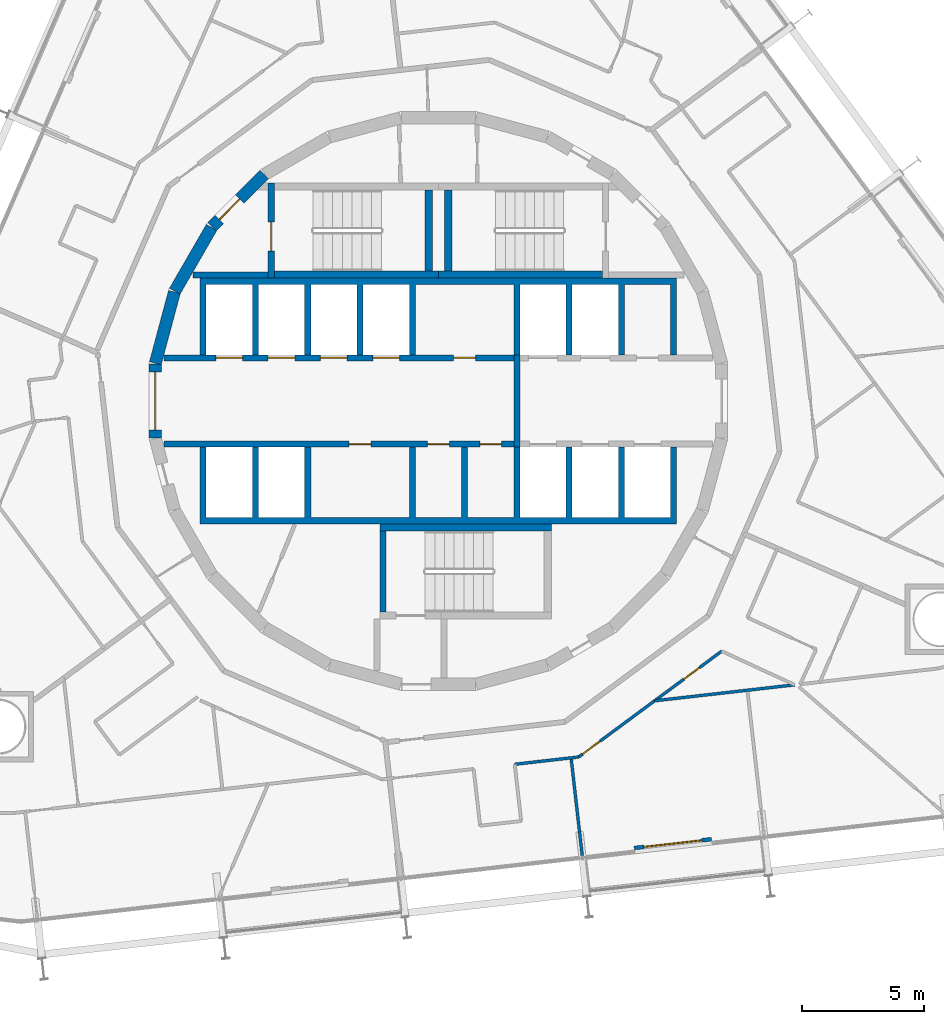
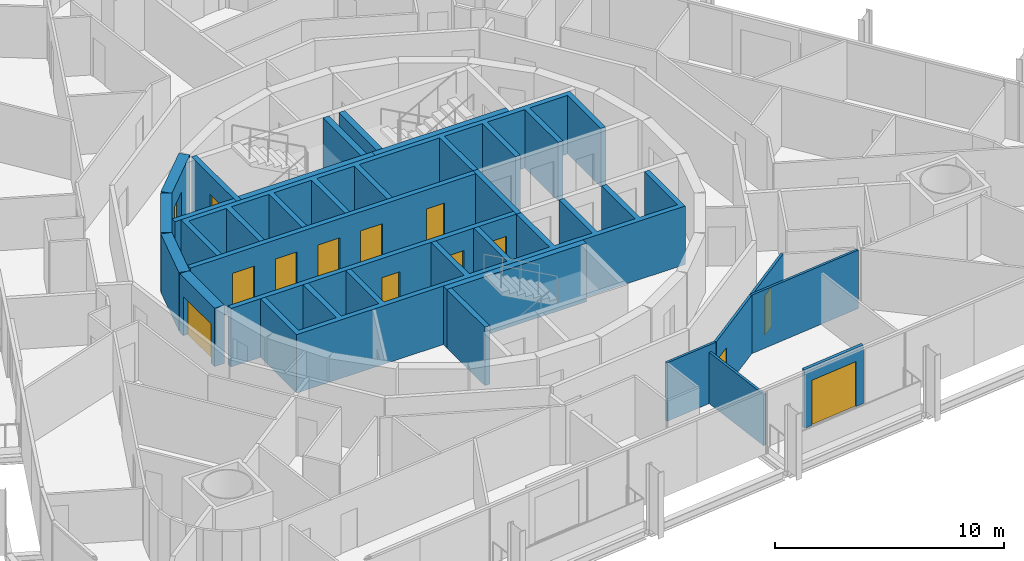
# One storey, part 18 of 23: 22 walls, 14 doors, 14 openings.
"""IFC4 building model written with IfcOpenShell, lengths in metres."""

import ifcopenshell
import ifcopenshell.guid

model = None  # the IFC model being written
_history = None  # IfcOwnerHistory: only IFC2X3 demands one
_inside = {}  # id of a spatial element -> (the spatial element, [elements in it])
_under = {}  # id of a project, library or spatial element -> (it, [spatial elements below it])
_declared = {}  # id of a project -> (the project, [libraries it declares])
_typed = {}  # id of a type object -> (the type object, [elements of that type])
_made_of = {}  # id of a material, layer set ... -> (it, [elements and type objects made of it])


def new_model(schema):
    """Start an empty IFC model of exactly this schema.

    Asked for "IFC4X3", IfcOpenShell would pick the latest addendum, in which some entities
    have other attributes; the version numbers below select the first issue.
    IFC2X3 requires an IfcOwnerHistory on every rooted entity: one is made here for all.
    """
    global model, _history
    if schema == "IFC4X3":
        model = ifcopenshell.file(schema_version=(4, 3, 0, 0))
    else:
        model = ifcopenshell.file(schema=schema)
    _inside.clear()
    _under.clear()
    _declared.clear()
    _typed.clear()
    _made_of.clear()
    _history = None
    if model.schema == "IFC2X3":
        org = make("IfcOrganization", Name="unknown")
        user = make(
            "IfcPersonAndOrganization",
            ThePerson=make("IfcPerson", FamilyName="unknown"),
            TheOrganization=org,
        )
        app = make(
            "IfcApplication",
            ApplicationDeveloper=org,
            Version="unknown",
            ApplicationFullName="unknown",
            ApplicationIdentifier="unknown",
        )
        _history = make(
            "IfcOwnerHistory",
            OwningUser=user,
            OwningApplication=app,
            ChangeAction="ADDED",
            CreationDate=0,
        )
    return model


def make(cls, **values):
    """One entity of the class cls with the attributes given. An attribute that is None is left unset."""
    return model.create_entity(
        cls, **{name: value for name, value in values.items() if value is not None}
    )


def rooted(cls, **values):
    """An entity with a GlobalId (a new one), such as an element, a storey or a relation."""
    return make(cls, GlobalId=ifcopenshell.guid.new(), OwnerHistory=_history, **values)


def si_unit(unit_type, name, prefix=None):
    """IfcSIUnit, for example si_unit("LENGTHUNIT", "METRE", prefix="MILLI")."""
    return make("IfcSIUnit", UnitType=unit_type, Prefix=prefix, Name=name)


def assignment(units):
    """IfcUnitAssignment: the units of a project."""
    return None if units is None else make("IfcUnitAssignment", Units=units)


def point(xyz):
    """IfcCartesianPoint."""
    return None if xyz is None else make("IfcCartesianPoint", Coordinates=xyz)


def direction(xyz):
    """IfcDirection."""
    return None if xyz is None else make("IfcDirection", DirectionRatios=xyz)


def frame(location, z_axis=None, x_axis=None):
    """IfcAxis2Placement3D, a coordinate frame: its origin and axes. An axis left out is left unset."""
    return make(
        "IfcAxis2Placement3D",
        Location=point(location),
        Axis=direction(z_axis),
        RefDirection=direction(x_axis),
    )


def frame_2d(location, x_axis=None):
    """IfcAxis2Placement2D, a coordinate frame in the plane: its origin and x axis."""
    return make(
        "IfcAxis2Placement2D", Location=point(location), RefDirection=direction(x_axis)
    )


def origin():
    """The frame at (0, 0, 0) with its axes left unset."""
    return frame((0.0, 0.0, 0.0))


def place(relative_to, where):
    """IfcLocalPlacement: puts the frame where relative to a parent placement (None: the world)."""
    return make(
        "IfcLocalPlacement", PlacementRelTo=relative_to, RelativePlacement=where
    )


def context(
    kind, dimensions, precision=None, world=None, true_north=None, identifier=None
):
    """IfcGeometricRepresentationContext, for example the 3D "Model" context."""
    return make(
        "IfcGeometricRepresentationContext",
        ContextIdentifier=identifier,
        ContextType=kind,
        CoordinateSpaceDimension=dimensions,
        Precision=precision,
        WorldCoordinateSystem=world,
        TrueNorth=true_north,
    )


def subcontext(parent, identifier, kind, view, scale=None):
    """IfcGeometricRepresentationSubContext, for example "Body" below "Model"."""
    return make(
        "IfcGeometricRepresentationSubContext",
        ContextIdentifier=identifier,
        ContextType=kind,
        ParentContext=parent,
        TargetScale=scale,
        TargetView=view,
    )


def project(units=None, contexts=None):
    """IfcProject with its units and contexts."""
    return rooted(
        "IfcProject",
        Name="project",
        RepresentationContexts=contexts,
        UnitsInContext=assignment(units),
    )


def spatial(cls, under=None, at=None, **own):
    """A site, building, storey or space (cls), placed at a placement, below another one or the project."""
    s = rooted(cls, ObjectPlacement=at, **own)
    if under is not None:
        _under.setdefault(under.id(), (under, []))[1].append(s)
    return s


def polyline(points):
    """IfcPolyline through the points."""
    return make("IfcPolyline", Points=[point(p) for p in points])


def profile(cls, at=None, kind="AREA", **sizes):
    """A parametric profile (cls). Its sizes go by their IFC names, for example OverallWidth=200.0."""
    return make(cls, ProfileType=kind, Position=at, **sizes)


def rectangle(**sizes):
    """IfcRectangleProfileDef."""
    return profile("IfcRectangleProfileDef", **sizes)


def outline(outer, holes=None, kind="AREA"):
    """IfcArbitraryClosedProfileDef: a profile drawn as a closed curve; with holes, ...WithVoids."""
    if holes is None:
        return make("IfcArbitraryClosedProfileDef", ProfileType=kind, OuterCurve=outer)
    return make(
        "IfcArbitraryProfileDefWithVoids",
        ProfileType=kind,
        OuterCurve=outer,
        InnerCurves=holes,
    )


def extrude(swept, where, along, depth):
    """IfcExtrudedAreaSolid: the profile swept, set in the frame where, extruded along a direction by depth."""
    return make(
        "IfcExtrudedAreaSolid",
        SweptArea=swept,
        Position=where,
        ExtrudedDirection=direction(along),
        Depth=depth,
    )


def shape(context_of_items, identifier, shape_type, items):
    """IfcShapeRepresentation: the items that make up one representation, for example the "Body"."""
    return make(
        "IfcShapeRepresentation",
        ContextOfItems=context_of_items,
        RepresentationIdentifier=identifier,
        RepresentationType=shape_type,
        Items=items,
    )


def material(Name=None, Category=None):
    """IfcMaterial."""
    return make("IfcMaterial", Name=Name, Category=Category)


def layer(
    of_material, thickness, ventilated=None, Name=None, Category=None, Priority=None
):
    """IfcMaterialLayer: one layer of a wall or slab, of a material (None: an air gap)."""
    return make(
        "IfcMaterialLayer",
        Material=of_material,
        LayerThickness=thickness,
        IsVentilated=ventilated,
        Name=Name,
        Category=Category,
        Priority=Priority,
    )


def layer_set(layers, Name=None):
    """IfcMaterialLayerSet."""
    return make("IfcMaterialLayerSet", MaterialLayers=layers, LayerSetName=Name)


def made_of(thing, what):
    """Note that an element or type object is made of a material, layer set ...; save() writes the relation."""
    if what is not None:
        _made_of.setdefault(what.id(), (what, []))[1].append(thing)
    return thing


def type_object(cls, material=None, **own):
    """A type object (cls), such as IfcWallType, which elements share."""
    return made_of(rooted(cls, **own), material)


def element(
    cls,
    number,
    at=None,
    inside=None,
    cuts=None,
    type_object=None,
    material=None,
    context=None,
    identifier="Body",
    shape_type=None,
    held_by="IfcProductDefinitionShape",
    body=None,
    shapes=None,
    **own,
):
    """One element of the class cls, such as IfcWall. Its Tag is "e" and its number.

    at: its placement. inside: the storey or other place that contains it. cuts: it is an
    opening in that element (IfcRelVoidsElement). A single representation is given by context,
    identifier, shape_type and body (its items); several are given by shapes. held_by: the class
    of the entity that holds the representations. save() writes the other relations.
    """
    e = rooted(cls, Tag="e%d" % number, ObjectPlacement=at, **own)
    if body is not None:
        shapes = [shape(context, identifier, shape_type, body)]
    if shapes is not None:
        e.Representation = make(held_by, Representations=shapes)
    if inside is not None:
        _inside.setdefault(inside.id(), (inside, []))[1].append(e)
    if cuts is not None:
        rooted(
            "IfcRelVoidsElement", RelatingBuildingElement=cuts, RelatedOpeningElement=e
        )
    if type_object is not None:
        _typed.setdefault(type_object.id(), (type_object, []))[1].append(e)
    return made_of(e, material)


def fill(opening, filler):
    """IfcRelFillsElement: the door or window that sits in an opening."""
    return rooted(
        "IfcRelFillsElement",
        RelatingOpeningElement=opening,
        RelatedBuildingElement=filler,
    )


def aggregate(whole, parts):
    """IfcRelAggregates: a whole, such as a stair, and the parts it consists of."""
    return rooted("IfcRelAggregates", RelatingObject=whole, RelatedObjects=parts)


def save(model, path):
    """Write the relations noted so far, then the file.

    IfcRelAggregates (storeys below a building ...), IfcRelContainedInSpatialStructure (elements
    in a storey), IfcRelDefinesByType, IfcRelAssociatesMaterial and IfcRelDeclares: one each for
    every whole, place, type object, material and project.
    """
    for whole, parts in _under.values():
        aggregate(whole, parts)
    for where, things in _inside.values():
        rooted(
            "IfcRelContainedInSpatialStructure",
            RelatedElements=things,
            RelatingStructure=where,
        )
    for kind, things in _typed.values():
        rooted("IfcRelDefinesByType", RelatedObjects=things, RelatingType=kind)
    for what, things in _made_of.values():
        rooted("IfcRelAssociatesMaterial", RelatedObjects=things, RelatingMaterial=what)
    for by, libraries in _declared.values():
        rooted("IfcRelDeclares", RelatingContext=by, RelatedDefinitions=libraries)
    model.write(path)


model = new_model("IFC4")

# Units and contexts
model_context = context("Model", 3, precision=1e-05, world=origin(), true_north=direction((0.0, 1.0)))
body_context = subcontext(model_context, "Body", "Model", "MODEL_VIEW")
ifc_project = project(units=[si_unit("LENGTHUNIT", "METRE"), si_unit("AREAUNIT", "SQUARE_METRE"), si_unit("VOLUMEUNIT", "CUBIC_METRE"), si_unit("PLANEANGLEUNIT", "RADIAN"), si_unit("MASSUNIT", "GRAM", prefix="KILO")], contexts=[model_context])

# Site, building, storey
site_placement = place(None, origin())
site = spatial("IfcSite", under=ifc_project, at=site_placement, CompositionType="ELEMENT")
building_placement = place(site_placement, origin())
building = spatial("IfcBuilding", under=site, at=building_placement, Name="Spindle Arch Residences", CompositionType="ELEMENT")
storey_placement = place(building_placement, frame((0.0, 0.0, 83.699951171875)))
storey = spatial("IfcBuildingStorey", under=building, at=storey_placement, Name="L19", CompositionType="ELEMENT", Elevation=83.699951171875)

# Wall, opening, door
ifc_material_1 = material(Name="Concrete C50/60", Category="concrete")
ifc_layer_1 = layer(ifc_material_1, 0.5)
ifc_layer_set_1 = layer_set([ifc_layer_1], Name="Core outline wall 500")
wall_type_1 = type_object("IfcWallType", Name="Core outline wall 500", PredefinedType="SHEAR", material=ifc_layer_set_1)
wall_1_placement = place(storey_placement, frame((-7.163818359375, 9.30810546875, 0.0), z_axis=(0.0, 0.0, 1.0), x_axis=(-0.707106781187, -0.707106781187, 0.0)))
wall_1 = element("IfcWall", 1, at=wall_1_placement, inside=storey, type_object=wall_type_1, Name="Core outline wall 15", PredefinedType="SHEAR", context=body_context, shape_type="SweptSolid", body=[
    extrude(rectangle(XDim=3.032470703125, YDim=0.5, at=frame_2d((1.51611328125, 0.0))), origin(), (0.0, 0.0, 1.0), 3.1201171875),
])
opening_1_placement = place(wall_1_placement, frame((1.416259765625, 0.0, 0.0)))
opening_1 = element("IfcOpeningElement", 2, at=opening_1_placement, cuts=wall_1, Name="Opening R2A0-AD02", PredefinedType="OPENING", context=body_context, shape_type="SweptSolid", body=[
    extrude(rectangle(XDim=1.199951171875, YDim=2.10009765625, at=frame_2d((0.60009765625, 1.050048828125))), frame((0.0, 0.260009765625, 0.0), z_axis=(0.0, -1.0, 0.0), x_axis=(1.0, 0.0, 0.0)), (0.0, 0.0, 1.0), 0.52001953125),
])
ifc_material_2 = material(Name="Steel, fire-resisting door", Category="steel")
door_type_1 = type_object("IfcDoorType", Name="Stair airlock door 1200x2100", OperationType="SINGLE_SWING_LEFT", PredefinedType="DOOR", material=ifc_material_2)
door_1_placement = place(opening_1_placement, origin())
door_1 = element("IfcDoor", 3, at=door_1_placement, inside=storey, type_object=door_type_1, Name="Stair airlock door R2A0-AD02", OperationType="SINGLE_SWING_RIGHT", OverallHeight=2.10009765625, OverallWidth=1.199951171875, PredefinedType="DOOR", context=body_context, shape_type="SweptSolid", body=[
    extrude(rectangle(XDim=1.199951171875, YDim=2.10009765625, at=frame_2d((0.60009765625, 1.050048828125))), frame((0.0, 0.02490234375, 0.0), z_axis=(0.0, -1.0, 0.0), x_axis=(1.0, 0.0, 0.0)), (0.0, 0.0, 1.0), 0.050048828125),
])
fill(opening_1, door_1)

# Walls
for number, where, z_axis, x_axis, name in (
    (4, (-9.32861328125, 7.13671875, 0.0), (0.0, 0.0, 1.0), (-0.500087131594, -0.865975092491, 0.0), "Core outline wall 16"),
    (5, (-10.858154296875, 4.479248046875, 0.0), (0.0, 0.0, 1.0), (-0.258734743916, -0.965948410781, 0.0), "Core outline wall 17"),
):
    element("IfcWall", number, at=place(storey_placement, frame(where, z_axis=z_axis, x_axis=x_axis)), inside=storey, type_object=wall_type_1, Name=name, PredefinedType="SHEAR", context=body_context, shape_type="SweptSolid", body=[
        extrude(rectangle(XDim=3.03271484375, YDim=0.5, at=frame_2d((1.516357421875, 0.0))), origin(), (0.0, 0.0, 1.0), 3.1201171875),
    ])

# Wall, opening, door
wall_2_placement = place(storey_placement, frame((-11.647216796875, 1.516357421875, 0.0), z_axis=(0.0, 0.0, 1.0), x_axis=(0.0, -1.0, 0.0)))
wall_2 = element("IfcWall", 6, at=wall_2_placement, inside=storey, type_object=wall_type_1, Name="Core outline wall 18", PredefinedType="SHEAR", context=body_context, shape_type="SweptSolid", body=[
    extrude(rectangle(XDim=3.03271484375, YDim=0.5, at=frame_2d((1.516357421875, 0.0))), origin(), (0.0, 0.0, 1.0), 3.1201171875),
])
opening_2_placement = place(wall_2_placement, frame((0.31640625, 0.0, 0.0)))
opening_2 = element("IfcOpeningElement", 7, at=opening_2_placement, cuts=wall_2, Name="Opening R2A0-LE01", PredefinedType="OPENING", context=body_context, shape_type="SweptSolid", body=[
    extrude(rectangle(XDim=2.39990234375, YDim=2.10009765625, at=frame_2d((1.199951171875, 1.050048828125))), frame((0.0, 0.260009765625, 0.0), z_axis=(0.0, -1.0, 0.0), x_axis=(1.0, 0.0, 0.0)), (0.0, 0.0, 1.0), 0.52001953125),
])
ifc_material_3 = material(Name="Steel, fire-resisting door", Category="steel")
door_type_2 = type_object("IfcDoorType", Name="Lift lobby entrance door 2400x2100", OperationType="DOUBLE_DOOR_SINGLE_SWING", PredefinedType="DOOR", material=ifc_material_3)
door_2_placement = place(opening_2_placement, origin())
door_2 = element("IfcDoor", 8, at=door_2_placement, inside=storey, type_object=door_type_2, Name="Lift lobby entrance door R2A0-LE01", OperationType="DOUBLE_DOOR_SINGLE_SWING", OverallHeight=2.10009765625, OverallWidth=2.39990234375, PredefinedType="DOOR", context=body_context, shape_type="SweptSolid", body=[
    extrude(rectangle(XDim=2.39990234375, YDim=2.10009765625, at=frame_2d((1.199951171875, 1.050048828125))), frame((0.0, 0.02490234375, 0.0), z_axis=(0.0, -1.0, 0.0), x_axis=(1.0, 0.0, 0.0)), (0.0, 0.0, 1.0), 0.050048828125),
])
fill(opening_2, door_2)

# Walls
ifc_material_4 = material(Name="Concrete C40/50", Category="concrete")
ifc_layer_2 = layer(ifc_material_4, 0.25)
ifc_layer_set_2 = layer_set([ifc_layer_2], Name="Fire-lift lobby wall 250")
wall_type_2 = type_object("IfcWallType", Name="Fire-lift lobby wall 250", PredefinedType="SHEAR", material=ifc_layer_set_2)
wall_3_placement = place(storey_placement, frame((3.22509765625, -1.89990234375, 0.0), z_axis=(0.0, 0.0, 1.0), x_axis=(0.0, 1.0, 0.0)))
element("IfcWall", 9, at=wall_3_placement, inside=storey, type_object=wall_type_2, Name="Fire-fighting lobby partition", PredefinedType="SHEAR", context=body_context, shape_type="SweptSolid", body=[
    extrude(rectangle(XDim=3.7998046875, YDim=0.25, at=frame_2d((1.89990234375, 0.0))), origin(), (0.0, 0.0, 1.0), 3.1201171875),
])
ifc_material_5 = material(Name="Plasterboard on steel studs", Category="steel")
ifc_layer_3 = layer(ifc_material_5, 0.1201171875)
ifc_layer_set_3 = layer_set([ifc_layer_3], Name="Flat partition 120")
wall_type_3 = type_object("IfcWallType", Name="Flat partition 120", PredefinedType="PARTITIONING", material=ifc_layer_set_3)
wall_4_placement = place(storey_placement, frame((3.1376953125, -14.94091796875, 0.0), z_axis=(0.0, 0.0, 1.0), x_axis=(0.99356355736, 0.113276023437, 0.0)))
element("IfcWall", 10, at=wall_4_placement, inside=storey, type_object=wall_type_3, Name="Flat partition R2A0-W117", PredefinedType="PARTITIONING", context=body_context, shape_type="SweptSolid", body=[
    extrude(rectangle(XDim=2.646728515625, YDim=0.1201171875, at=frame_2d((1.3232421875, 0.0))), origin(), (0.0, 0.0, 1.0), 3.1201171875),
])

# Wall, openings, doors
wall_5_placement = place(storey_placement, frame((5.767333984375, -14.64111328125, 0.0), z_axis=(0.0, 0.0, 1.0), x_axis=(0.803867427863, 0.594808505673, 0.0)))
wall_5 = element("IfcWall", 11, at=wall_5_placement, inside=storey, type_object=wall_type_3, Name="Flat partition R2A0-W118", PredefinedType="PARTITIONING", context=body_context, shape_type="SweptSolid", body=[
    extrude(rectangle(XDim=7.31640625, YDim=0.1201171875, at=frame_2d((3.658203125, 0.0))), origin(), (0.0, 0.0, 1.0), 3.1201171875),
])
opening_3_placement = place(wall_5_placement, frame((0.199951171875, 0.0, 0.0)))
opening_3 = element("IfcOpeningElement", 12, at=opening_3_placement, cuts=wall_5, Name="Opening R2A0-ID30", PredefinedType="OPENING", context=body_context, shape_type="SweptSolid", body=[
    extrude(rectangle(XDim=0.89990234375, YDim=2.10009765625, at=frame_2d((0.449951171875, 1.050048828125))), frame((0.0, 0.070068359375, 0.0), z_axis=(0.0, -1.0, 0.0), x_axis=(1.0, 0.0, 0.0)), (0.0, 0.0, 1.0), 0.14013671875),
])
opening_4_placement = place(wall_5_placement, frame((5.385009765625, 0.0, 0.0)))
opening_4 = element("IfcOpeningElement", 13, at=opening_4_placement, cuts=wall_5, Name="Opening R2A0-BD07", PredefinedType="OPENING", context=body_context, shape_type="SweptSolid", body=[
    extrude(rectangle(XDim=0.800048828125, YDim=2.10009765625, at=frame_2d((0.39990234375, 1.050048828125))), frame((0.0, 0.070068359375, 0.0), z_axis=(0.0, -1.0, 0.0), x_axis=(1.0, 0.0, 0.0)), (0.0, 0.0, 1.0), 0.14013671875),
])
ifc_material_6 = material(Name="Timber door set", Category="wood")
door_type_3 = type_object("IfcDoorType", Name="Bathroom door 800x2100", OperationType="NOTDEFINED", PredefinedType="DOOR", material=ifc_material_6)
door_3_placement = place(opening_4_placement, origin())
door_3 = element("IfcDoor", 14, at=door_3_placement, inside=storey, type_object=door_type_3, Name="Bathroom door R2A0-BD07", OperationType="SINGLE_SWING_RIGHT", OverallHeight=2.10009765625, OverallWidth=0.800048828125, PredefinedType="DOOR", context=body_context, shape_type="SweptSolid", body=[
    extrude(rectangle(XDim=0.800048828125, YDim=2.10009765625, at=frame_2d((0.39990234375, 1.050048828125))), frame((0.0, 0.02490234375, 0.0), z_axis=(0.0, -1.0, 0.0), x_axis=(1.0, 0.0, 0.0)), (0.0, 0.0, 1.0), 0.050048828125),
])
fill(opening_4, door_3)
ifc_material_7 = material(Name="Timber door set", Category="wood")
door_type_4 = type_object("IfcDoorType", Name="Room door 900x2100", OperationType="NOTDEFINED", PredefinedType="DOOR", material=ifc_material_7)
door_4_placement = place(opening_3_placement, origin())
door_4 = element("IfcDoor", 15, at=door_4_placement, inside=storey, type_object=door_type_4, Name="Room door R2A0-ID30", OperationType="SINGLE_SWING_RIGHT", OverallHeight=2.10009765625, OverallWidth=0.89990234375, PredefinedType="DOOR", context=body_context, shape_type="SweptSolid", body=[
    extrude(rectangle(XDim=0.89990234375, YDim=2.10009765625, at=frame_2d((0.449951171875, 1.050048828125))), frame((0.0, 0.02490234375, 0.0), z_axis=(0.0, -1.0, 0.0), x_axis=(1.0, 0.0, 0.0)), (0.0, 0.0, 1.0), 0.050048828125),
])
fill(opening_3, door_4)

# Walls
wall_6_placement = place(storey_placement, frame((14.64892578125, -11.67431640625, 0.0), z_axis=(0.0, 0.0, 1.0), x_axis=(-0.993573746873, -0.113186613721, 0.0)))
element("IfcWall", 16, at=wall_6_placement, inside=storey, type_object=wall_type_3, Name="Flat partition R2A0-W124", PredefinedType="PARTITIONING", context=body_context, shape_type="SweptSolid", body=[
    extrude(rectangle(XDim=5.7958984375, YDim=0.1201171875, at=frame_2d((2.89794921875, 0.0))), origin(), (0.0, 0.0, 1.0), 3.1201171875),
])
ifc_material_8 = material(Name="Plasterboard on steel studs", Category="steel")
ifc_layer_4 = layer(ifc_material_8, 0.1201171875)
ifc_layer_set_4 = layer_set([ifc_layer_4], Name="Flat partition 120 under beam 2730")
wall_type_4 = type_object("IfcWallType", Name="Flat partition 120 under beam 2730", PredefinedType="PARTITIONING", material=ifc_layer_set_4)
wall_7_placement = place(storey_placement, frame((5.915283203125, -18.7080078125, 0.0), z_axis=(0.0, 0.0, 1.0), x_axis=(-0.113244511591, 0.993567149515, 0.0)))
element("IfcWall", 17, at=wall_7_placement, inside=storey, type_object=wall_type_4, Name="Flat partition R2A0-W123", PredefinedType="PARTITIONING", context=body_context, shape_type="SweptSolid", body=[
    extrude(rectangle(XDim=4.057373046875, YDim=0.1201171875, at=frame_2d((2.02880859375, 0.0))), origin(), (0.0, 0.0, 1.0), 2.72998046875),
])

# Wall, opening, door
ifc_material_9 = material(Name="Non-combustible mineral wool insulated aluminium faced external wall (K0)", Category="aluminium")
ifc_layer_5 = layer(ifc_material_9, 0.159912109375)
ifc_layer_set_5 = layer_set([ifc_layer_5], Name="Insulated external wall panel 160")
wall_type_5 = type_object("IfcWallType", Name="Insulated external wall panel 160", PredefinedType="STANDARD", material=ifc_layer_set_5)
wall_8_placement = place(storey_placement, frame((8.0517578125, -18.38427734375, 0.0), z_axis=(0.0, 0.0, 1.0), x_axis=(0.993569997097, 0.113219525124, 0.0)))
wall_8 = element("IfcWall", 18, at=wall_8_placement, inside=storey, type_object=wall_type_5, Name="External wall L19 bay 1", PredefinedType="STANDARD", context=body_context, shape_type="SweptSolid", body=[
    extrude(rectangle(XDim=3.199951171875, YDim=0.159912109375, at=frame_2d((1.60009765625, 0.0))), origin(), (0.0, 0.0, 1.0), 3.1201171875),
])
opening_5_placement = place(wall_8_placement, frame((0.39990234375, 0.0, 0.0)))
opening_5 = element("IfcOpeningElement", 19, at=opening_5_placement, cuts=wall_8, Name="Opening BD01", PredefinedType="OPENING", context=body_context, shape_type="SweptSolid", body=[
    extrude(rectangle(XDim=2.39990234375, YDim=2.39990234375, at=frame_2d((1.199951171875, 1.199951171875))), frame((0.0, 0.08984375, 0.0), z_axis=(0.0, -1.0, 0.0), x_axis=(1.0, 0.0, 0.0)), (0.0, 0.0, 1.0), 0.179931640625),
])
ifc_material_10 = material(Name="Bronze aluminium frame, tinted double glazing", Category="aluminium")
door_type_5 = type_object("IfcDoorType", Name="Sliding glazed balcony door 2400x2400", OperationType="DOUBLE_DOOR_SLIDING", PredefinedType="DOOR", material=ifc_material_10)
door_5_placement = place(opening_5_placement, origin())
door_5 = element("IfcDoor", 20, at=door_5_placement, inside=storey, type_object=door_type_5, Name="Balcony door BD01", OperationType="DOUBLE_DOOR_SLIDING", OverallHeight=2.39990234375, OverallWidth=2.39990234375, PredefinedType="DOOR", context=body_context, shape_type="SweptSolid", body=[
    extrude(rectangle(XDim=2.39990234375, YDim=2.39990234375, at=frame_2d((1.199951171875, 1.199951171875))), frame((0.0, 0.02490234375, 0.0), z_axis=(0.0, -1.0, 0.0), x_axis=(1.0, 0.0, 0.0)), (0.0, 0.0, 1.0), 0.050048828125),
])
fill(opening_5, door_5)

# Wall, openings, doors
ifc_material_11 = material(Name="Concrete C50/60", Category="concrete")
ifc_layer_6 = layer(ifc_material_11, 0.25)
ifc_layer_set_6 = layer_set([ifc_layer_6], Name="Lift shaft wall 250")
wall_type_6 = type_object("IfcWallType", Name="Lift shaft wall 250", PredefinedType="SHEAR", material=ifc_layer_set_6)
wall_9_placement = place(storey_placement, frame((-11.280029296875, 1.77490234375, 0.0), z_axis=(0.0, 0.0, 1.0), x_axis=(1.0, 0.0, 0.0)))
wall_9 = element("IfcWall", 21, at=wall_9_placement, inside=storey, type_object=wall_type_6, Name="Lift shaft front wall NW", PredefinedType="SHEAR", context=body_context, shape_type="SweptSolid", body=[
    extrude(rectangle(XDim=14.380126953125, YDim=0.25, at=frame_2d((7.18994140625, 0.0))), origin(), (0.0, 0.0, 1.0), 3.1201171875),
])
opening_6_placement = place(wall_9_placement, frame((2.1298828125, 0.0, 0.0)))
opening_6 = element("IfcOpeningElement", 22, at=opening_6_placement, cuts=wall_9, Name="Opening R2A0-LD01", PredefinedType="OPENING", context=body_context, shape_type="SweptSolid", body=[
    extrude(rectangle(XDim=1.10009765625, YDim=2.10009765625, at=frame_2d((0.550048828125, 1.050048828125))), frame((0.0, 0.135009765625, 0.0), z_axis=(0.0, -1.0, 0.0), x_axis=(1.0, 0.0, 0.0)), (0.0, 0.0, 1.0), 0.27001953125),
])
opening_7_placement = place(wall_9_placement, frame((4.280029296875, 0.0, 0.0)))
opening_7 = element("IfcOpeningElement", 23, at=opening_7_placement, cuts=wall_9, Name="Opening R2A0-LD02", PredefinedType="OPENING", context=body_context, shape_type="SweptSolid", body=[
    extrude(rectangle(XDim=1.10009765625, YDim=2.10009765625, at=frame_2d((0.550048828125, 1.050048828125))), frame((0.0, 0.135009765625, 0.0), z_axis=(0.0, -1.0, 0.0), x_axis=(1.0, 0.0, 0.0)), (0.0, 0.0, 1.0), 0.27001953125),
])
opening_8_placement = place(wall_9_placement, frame((6.429931640625, 0.0, 0.0)))
opening_8 = element("IfcOpeningElement", 24, at=opening_8_placement, cuts=wall_9, Name="Opening R2A0-LD03", PredefinedType="OPENING", context=body_context, shape_type="SweptSolid", body=[
    extrude(rectangle(XDim=1.10009765625, YDim=2.10009765625, at=frame_2d((0.550048828125, 1.050048828125))), frame((0.0, 0.135009765625, 0.0), z_axis=(0.0, -1.0, 0.0), x_axis=(1.0, 0.0, 0.0)), (0.0, 0.0, 1.0), 0.27001953125),
])
opening_9_placement = place(wall_9_placement, frame((8.580078125, 0.0, 0.0)))
opening_9 = element("IfcOpeningElement", 25, at=opening_9_placement, cuts=wall_9, Name="Opening R2A0-LD04", PredefinedType="OPENING", context=body_context, shape_type="SweptSolid", body=[
    extrude(rectangle(XDim=1.10009765625, YDim=2.10009765625, at=frame_2d((0.550048828125, 1.050048828125))), frame((0.0, 0.135009765625, 0.0), z_axis=(0.0, -1.0, 0.0), x_axis=(1.0, 0.0, 0.0)), (0.0, 0.0, 1.0), 0.27001953125),
])
opening_10_placement = place(wall_9_placement, frame((11.905029296875, 0.0, 0.0)))
opening_10 = element("IfcOpeningElement", 26, at=opening_10_placement, cuts=wall_9, Name="Opening R2A0-WD01", PredefinedType="OPENING", context=body_context, shape_type="SweptSolid", body=[
    extrude(rectangle(XDim=0.89990234375, YDim=2.10009765625, at=frame_2d((0.449951171875, 1.050048828125))), frame((0.0, 0.135009765625, 0.0), z_axis=(0.0, -1.0, 0.0), x_axis=(1.0, 0.0, 0.0)), (0.0, 0.0, 1.0), 0.27001953125),
])
ifc_material_12 = material(Name="Steel, fire-resisting landing door", Category="steel")
door_type_6 = type_object("IfcDoorType", Name="Lift landing door 1100x2100", OperationType="DOUBLE_DOOR_SLIDING", PredefinedType="DOOR", material=ifc_material_12)
door_6_placement = place(opening_6_placement, origin())
door_6 = element("IfcDoor", 27, at=door_6_placement, inside=storey, type_object=door_type_6, Name="Lift landing door R2A0-LD01", OperationType="DOUBLE_DOOR_SLIDING", OverallHeight=2.10009765625, OverallWidth=1.10009765625, PredefinedType="DOOR", context=body_context, shape_type="SweptSolid", body=[
    extrude(rectangle(XDim=1.10009765625, YDim=2.10009765625, at=frame_2d((0.550048828125, 1.050048828125))), frame((0.0, 0.02490234375, 0.0), z_axis=(0.0, -1.0, 0.0), x_axis=(1.0, 0.0, 0.0)), (0.0, 0.0, 1.0), 0.050048828125),
])
fill(opening_6, door_6)
door_7_placement = place(opening_7_placement, origin())
door_7 = element("IfcDoor", 28, at=door_7_placement, inside=storey, type_object=door_type_6, Name="Lift landing door R2A0-LD02", OperationType="DOUBLE_DOOR_SLIDING", OverallHeight=2.10009765625, OverallWidth=1.10009765625, PredefinedType="DOOR", context=body_context, shape_type="SweptSolid", body=[
    extrude(rectangle(XDim=1.10009765625, YDim=2.10009765625, at=frame_2d((0.550048828125, 1.050048828125))), frame((0.0, 0.02490234375, 0.0), z_axis=(0.0, -1.0, 0.0), x_axis=(1.0, 0.0, 0.0)), (0.0, 0.0, 1.0), 0.050048828125),
])
fill(opening_7, door_7)
door_8_placement = place(opening_8_placement, origin())
door_8 = element("IfcDoor", 29, at=door_8_placement, inside=storey, type_object=door_type_6, Name="Lift landing door R2A0-LD03", OperationType="DOUBLE_DOOR_SLIDING", OverallHeight=2.10009765625, OverallWidth=1.10009765625, PredefinedType="DOOR", context=body_context, shape_type="SweptSolid", body=[
    extrude(rectangle(XDim=1.10009765625, YDim=2.10009765625, at=frame_2d((0.550048828125, 1.050048828125))), frame((0.0, 0.02490234375, 0.0), z_axis=(0.0, -1.0, 0.0), x_axis=(1.0, 0.0, 0.0)), (0.0, 0.0, 1.0), 0.050048828125),
])
fill(opening_8, door_8)
door_9_placement = place(opening_9_placement, origin())
door_9 = element("IfcDoor", 30, at=door_9_placement, inside=storey, type_object=door_type_6, Name="Lift landing door R2A0-LD04", OperationType="DOUBLE_DOOR_SLIDING", OverallHeight=2.10009765625, OverallWidth=1.10009765625, PredefinedType="DOOR", context=body_context, shape_type="SweptSolid", body=[
    extrude(rectangle(XDim=1.10009765625, YDim=2.10009765625, at=frame_2d((0.550048828125, 1.050048828125))), frame((0.0, 0.02490234375, 0.0), z_axis=(0.0, -1.0, 0.0), x_axis=(1.0, 0.0, 0.0)), (0.0, 0.0, 1.0), 0.050048828125),
])
fill(opening_9, door_9)
ifc_material_13 = material(Name="Steel, fire-resisting door", Category="steel")
door_type_7 = type_object("IfcDoorType", Name="Service room door 900x2100", OperationType="SINGLE_SWING_LEFT", PredefinedType="DOOR", material=ifc_material_13)
door_10_placement = place(opening_10_placement, origin())
door_10 = element("IfcDoor", 31, at=door_10_placement, inside=storey, type_object=door_type_7, Name="Service room door R2A0-WD01", OperationType="SINGLE_SWING_RIGHT", OverallHeight=2.10009765625, OverallWidth=0.89990234375, PredefinedType="DOOR", context=body_context, shape_type="SweptSolid", body=[
    extrude(rectangle(XDim=0.89990234375, YDim=2.10009765625, at=frame_2d((0.449951171875, 1.050048828125))), frame((0.0, 0.02490234375, 0.0), z_axis=(0.0, -1.0, 0.0), x_axis=(1.0, 0.0, 0.0)), (0.0, 0.0, 1.0), 0.050048828125),
])
fill(opening_10, door_10)

wall_10_placement = place(storey_placement, frame((-11.280029296875, -1.77490234375, 0.0), z_axis=(0.0, 0.0, 1.0), x_axis=(1.0, 0.0, 0.0)))
wall_10 = element("IfcWall", 32, at=wall_10_placement, inside=storey, type_object=wall_type_6, Name="Lift shaft front wall SW", PredefinedType="SHEAR", context=body_context, shape_type="SweptSolid", body=[
    extrude(rectangle(XDim=14.380126953125, YDim=0.25, at=frame_2d((7.18994140625, 0.0))), origin(), (0.0, 0.0, 1.0), 3.1201171875),
])
opening_11_placement = place(wall_10_placement, frame((7.60498046875, 0.0, 0.0)))
opening_11 = element("IfcOpeningElement", 33, at=opening_11_placement, cuts=wall_10, Name="Opening R2A0-WD03", PredefinedType="OPENING", context=body_context, shape_type="SweptSolid", body=[
    extrude(rectangle(XDim=0.89990234375, YDim=2.10009765625, at=frame_2d((0.449951171875, 1.050048828125))), frame((0.0, 0.135009765625, 0.0), z_axis=(0.0, -1.0, 0.0), x_axis=(1.0, 0.0, 0.0)), (0.0, 0.0, 1.0), 0.27001953125),
])
opening_12_placement = place(wall_10_placement, frame((10.830078125, 0.0, 0.0)))
opening_12 = element("IfcOpeningElement", 34, at=opening_12_placement, cuts=wall_10, Name="Opening R2A0-WD04", PredefinedType="OPENING", context=body_context, shape_type="SweptSolid", body=[
    extrude(rectangle(XDim=0.89990234375, YDim=2.10009765625, at=frame_2d((0.449951171875, 1.050048828125))), frame((0.0, 0.135009765625, 0.0), z_axis=(0.0, -1.0, 0.0), x_axis=(1.0, 0.0, 0.0)), (0.0, 0.0, 1.0), 0.27001953125),
])
opening_13_placement = place(wall_10_placement, frame((12.97998046875, 0.0, 0.0)))
opening_13 = element("IfcOpeningElement", 35, at=opening_13_placement, cuts=wall_10, Name="Opening R2A0-WD05", PredefinedType="OPENING", context=body_context, shape_type="SweptSolid", body=[
    extrude(rectangle(XDim=0.89990234375, YDim=2.10009765625, at=frame_2d((0.449951171875, 1.050048828125))), frame((0.0, 0.135009765625, 0.0), z_axis=(0.0, -1.0, 0.0), x_axis=(1.0, 0.0, 0.0)), (0.0, 0.0, 1.0), 0.27001953125),
])
door_11_placement = place(opening_11_placement, origin())
door_11 = element("IfcDoor", 36, at=door_11_placement, inside=storey, type_object=door_type_7, Name="Service room door R2A0-WD03", OperationType="SINGLE_SWING_RIGHT", OverallHeight=2.10009765625, OverallWidth=0.89990234375, PredefinedType="DOOR", context=body_context, shape_type="SweptSolid", body=[
    extrude(rectangle(XDim=0.89990234375, YDim=2.10009765625, at=frame_2d((0.449951171875, 1.050048828125))), frame((0.0, 0.02490234375, 0.0), z_axis=(0.0, -1.0, 0.0), x_axis=(1.0, 0.0, 0.0)), (0.0, 0.0, 1.0), 0.050048828125),
])
fill(opening_11, door_11)
door_12_placement = place(opening_12_placement, origin())
door_12 = element("IfcDoor", 37, at=door_12_placement, inside=storey, type_object=door_type_7, Name="Service room door R2A0-WD04", OperationType="SINGLE_SWING_LEFT", OverallHeight=2.10009765625, OverallWidth=0.89990234375, PredefinedType="DOOR", context=body_context, shape_type="SweptSolid", body=[
    extrude(rectangle(XDim=0.89990234375, YDim=2.10009765625, at=frame_2d((0.449951171875, 1.050048828125))), frame((0.0, 0.02490234375, 0.0), z_axis=(0.0, -1.0, 0.0), x_axis=(1.0, 0.0, 0.0)), (0.0, 0.0, 1.0), 0.050048828125),
])
fill(opening_12, door_12)
door_13_placement = place(opening_13_placement, origin())
door_13 = element("IfcDoor", 38, at=door_13_placement, inside=storey, type_object=door_type_7, Name="Service room door R2A0-WD05", OperationType="SINGLE_SWING_RIGHT", OverallHeight=2.10009765625, OverallWidth=0.89990234375, PredefinedType="DOOR", context=body_context, shape_type="SweptSolid", body=[
    extrude(rectangle(XDim=0.89990234375, YDim=2.10009765625, at=frame_2d((0.449951171875, 1.050048828125))), frame((0.0, 0.02490234375, 0.0), z_axis=(0.0, -1.0, 0.0), x_axis=(1.0, 0.0, 0.0)), (0.0, 0.0, 1.0), 0.050048828125),
])
fill(opening_13, door_13)

# Walls
ifc_material_14 = material(Name="Concrete C50/60", Category="concrete")
wall_type_7 = type_object("IfcWallType", Name="Lift shaft wall profile", PredefinedType="SHEAR", material=ifc_material_14)
wall_11_placement = place(storey_placement, origin())
element("IfcWall", 39, at=wall_11_placement, inside=storey, type_object=wall_type_7, Name="Lift shaft walls N", PredefinedType="SHEAR", context=body_context, shape_type="SweptSolid", body=[
    extrude(outline(polyline([(-9.550048828125, 4.800048828125), (-7.64990234375, 4.800048828125), (-7.64990234375, 1.89990234375), (-7.39990234375, 1.89990234375), (-7.39990234375, 4.800048828125), (-5.5, 4.800048828125), (-5.5, 1.89990234375), (-5.25, 1.89990234375), (-5.25, 4.800048828125), (-3.35009765625, 4.800048828125), (-3.35009765625, 1.89990234375), (-3.10009765625, 1.89990234375), (-3.10009765625, 4.800048828125), (-1.199951171875, 4.800048828125), (-1.199951171875, 1.89990234375), (-0.949951171875, 1.89990234375), (-0.949951171875, 4.800048828125), (3.10009765625, 4.800048828125), (3.10009765625, 1.89990234375), (3.35009765625, 1.89990234375), (3.35009765625, 4.800048828125), (5.25, 4.800048828125), (5.25, 1.89990234375), (5.5, 1.89990234375), (5.5, 4.800048828125), (7.39990234375, 4.800048828125), (7.39990234375, 1.89990234375), (7.64990234375, 1.89990234375), (7.64990234375, 4.800048828125), (9.550048828125, 4.800048828125), (9.550048828125, 1.89990234375), (9.800048828125, 1.89990234375), (9.800048828125, 4.800048828125), (9.800048828125, 5.050048828125), (-9.800048828125, 5.050048828125), (-9.800048828125, 4.800048828125), (-9.800048828125, 1.89990234375), (-9.550048828125, 1.89990234375), (-9.550048828125, 4.800048828125)])), origin(), (0.0, 0.0, 1.0), 3.1201171875),
])
wall_12_placement = place(storey_placement, origin())
element("IfcWall", 40, at=wall_12_placement, inside=storey, type_object=wall_type_7, Name="Lift shaft walls S", PredefinedType="SHEAR", context=body_context, shape_type="SweptSolid", body=[
    extrude(outline(polyline([(9.800048828125, -5.050048828125), (9.800048828125, -4.800048828125), (9.800048828125, -1.89990234375), (9.550048828125, -1.89990234375), (9.550048828125, -4.800048828125), (7.64990234375, -4.800048828125), (7.64990234375, -1.89990234375), (7.39990234375, -1.89990234375), (7.39990234375, -4.800048828125), (5.5, -4.800048828125), (5.5, -1.89990234375), (5.25, -1.89990234375), (5.25, -4.800048828125), (3.35009765625, -4.800048828125), (3.35009765625, -1.89990234375), (3.10009765625, -1.89990234375), (3.10009765625, -4.800048828125), (1.199951171875, -4.800048828125), (1.199951171875, -1.89990234375), (0.949951171875, -1.89990234375), (0.949951171875, -4.800048828125), (-0.949951171875, -4.800048828125), (-0.949951171875, -1.89990234375), (-1.199951171875, -1.89990234375), (-1.199951171875, -4.800048828125), (-5.25, -4.800048828125), (-5.25, -1.89990234375), (-5.5, -1.89990234375), (-5.5, -4.800048828125), (-7.39990234375, -4.800048828125), (-7.39990234375, -1.89990234375), (-7.64990234375, -1.89990234375), (-7.64990234375, -4.800048828125), (-9.550048828125, -4.800048828125), (-9.550048828125, -1.89990234375), (-9.800048828125, -1.89990234375), (-9.800048828125, -4.800048828125), (-9.800048828125, -5.050048828125), (9.800048828125, -5.050048828125)])), origin(), (0.0, 0.0, 1.0), 3.1201171875),
])
ifc_material_15 = material(Name="Concrete C40/50", Category="concrete")
ifc_layer_7 = layer(ifc_material_15, 0.25)
ifc_layer_set_7 = layer_set([ifc_layer_7], Name="Stair airlock wall 250")
wall_type_8 = type_object("IfcWallType", Name="Stair airlock wall 250", PredefinedType="SHEAR", material=ifc_layer_set_7)
wall_13_placement = place(storey_placement, frame((-7.0, 5.175048828125, 0.0), z_axis=(0.0, 0.0, 1.0), x_axis=(-1.0, 0.0, 0.0)))
element("IfcWall", 41, at=wall_13_placement, inside=storey, type_object=wall_type_8, Name="Stair ST-2 airlock wall S", PredefinedType="SHEAR", context=body_context, shape_type="SweptSolid", body=[
    extrude(rectangle(XDim=3.10009765625, YDim=0.25, at=frame_2d((1.550048828125, 0.0))), origin(), (0.0, 0.0, 1.0), 3.1201171875),
])

# Wall, opening, door
ifc_material_16 = material(Name="Concrete C50/60", Category="concrete")
ifc_layer_8 = layer(ifc_material_16, 0.25)
ifc_layer_set_8 = layer_set([ifc_layer_8], Name="Stair enclosure wall 250")
wall_type_9 = type_object("IfcWallType", Name="Stair enclosure wall 250", PredefinedType="SHEAR", material=ifc_layer_set_8)
wall_14_placement = place(storey_placement, frame((-6.875, 8.969970703125, 0.0), z_axis=(0.0, 0.0, 1.0), x_axis=(0.0, -1.0, 0.0)))
wall_14 = element("IfcWall", 42, at=wall_14_placement, inside=storey, type_object=wall_type_9, Name="Stair ST-2 door wall", PredefinedType="SHEAR", context=body_context, shape_type="SweptSolid", body=[
    extrude(rectangle(XDim=3.919921875, YDim=0.25, at=frame_2d((1.9599609375, 0.0))), origin(), (0.0, 0.0, 1.0), 3.1201171875),
])
opening_14_placement = place(wall_14_placement, frame((1.610107421875, 0.0, 0.0)))
opening_14 = element("IfcOpeningElement", 43, at=opening_14_placement, cuts=wall_14, Name="Opening R2A0-SD02", PredefinedType="OPENING", context=body_context, shape_type="SweptSolid", body=[
    extrude(rectangle(XDim=1.199951171875, YDim=2.10009765625, at=frame_2d((0.60009765625, 1.050048828125))), frame((0.0, 0.135009765625, 0.0), z_axis=(0.0, -1.0, 0.0), x_axis=(1.0, 0.0, 0.0)), (0.0, 0.0, 1.0), 0.27001953125),
])
ifc_material_17 = material(Name="Steel, fire-resisting door", Category="steel")
door_type_8 = type_object("IfcDoorType", Name="Stair door 1200x2100", OperationType="SINGLE_SWING_RIGHT", PredefinedType="DOOR", material=ifc_material_17)
door_14_placement = place(opening_14_placement, origin())
door_14 = element("IfcDoor", 44, at=door_14_placement, inside=storey, type_object=door_type_8, Name="Stair door R2A0-SD02", OperationType="SINGLE_SWING_LEFT", OverallHeight=2.10009765625, OverallWidth=1.199951171875, PredefinedType="DOOR", context=body_context, shape_type="SweptSolid", body=[
    extrude(rectangle(XDim=1.199951171875, YDim=2.10009765625, at=frame_2d((0.60009765625, 1.050048828125))), frame((0.0, 0.02490234375, 0.0), z_axis=(0.0, -1.0, 0.0), x_axis=(1.0, 0.0, 0.0)), (0.0, 0.0, 1.0), 0.050048828125),
])
fill(opening_14, door_14)

# Walls
wall_15_placement = place(storey_placement, frame((-2.27490234375, -8.669921875, 0.0), z_axis=(0.0, 0.0, 1.0), x_axis=(0.0, 1.0, 0.0)))
element("IfcWall", 45, at=wall_15_placement, inside=storey, type_object=wall_type_9, Name="Stair ST-3 enclosure wall W", PredefinedType="SHEAR", context=body_context, shape_type="SweptSolid", body=[
    extrude(rectangle(XDim=3.31982421875, YDim=0.25, at=frame_2d((1.659912109375, 0.0))), origin(), (0.0, 0.0, 1.0), 3.1201171875),
])
ifc_material_18 = material(Name="Concrete C50/60", Category="concrete")
ifc_layer_9 = layer(ifc_material_18, 0.300048828125)
ifc_layer_set_9 = layer_set([ifc_layer_9], Name="Stair enclosure wall 300")
wall_type_10 = type_object("IfcWallType", Name="Stair enclosure wall 300", PredefinedType="SHEAR", material=ifc_layer_set_9)
wall_16_placement = place(storey_placement, frame((0.0, 5.199951171875, 0.0), z_axis=(0.0, 0.0, 1.0), x_axis=(1.0, 0.0, 0.0)))
element("IfcWall", 46, at=wall_16_placement, inside=storey, type_object=wall_type_10, Name="Stair ST-1 enclosure wall S", PredefinedType="SHEAR", context=body_context, shape_type="SweptSolid", body=[
    extrude(rectangle(XDim=6.75, YDim=0.300048828125, at=frame_2d((3.375, 0.0))), origin(), (0.0, 0.0, 1.0), 3.1201171875),
])
wall_17_placement = place(storey_placement, frame((0.39990234375, 5.35009765625, 0.0), z_axis=(0.0, 0.0, 1.0), x_axis=(0.0, 1.0, 0.0)))
element("IfcWall", 47, at=wall_17_placement, inside=storey, type_object=wall_type_10, Name="Stair ST-1 enclosure wall F", PredefinedType="SHEAR", context=body_context, shape_type="SweptSolid", body=[
    extrude(rectangle(XDim=3.31982421875, YDim=0.300048828125, at=frame_2d((1.659912109375, 0.0))), origin(), (0.0, 0.0, 1.0), 3.1201171875),
])
wall_18_placement = place(storey_placement, frame((-6.75, 5.199951171875, 0.0), z_axis=(0.0, 0.0, 1.0), x_axis=(1.0, 0.0, 0.0)))
element("IfcWall", 48, at=wall_18_placement, inside=storey, type_object=wall_type_10, Name="Stair ST-2 enclosure wall S", PredefinedType="SHEAR", context=body_context, shape_type="SweptSolid", body=[
    extrude(rectangle(XDim=6.75, YDim=0.300048828125, at=frame_2d((3.375, 0.0))), origin(), (0.0, 0.0, 1.0), 3.1201171875),
])
wall_19_placement = place(storey_placement, frame((-0.39990234375, 5.35009765625, 0.0), z_axis=(0.0, 0.0, 1.0), x_axis=(0.0, 1.0, 0.0)))
element("IfcWall", 49, at=wall_19_placement, inside=storey, type_object=wall_type_10, Name="Stair ST-2 enclosure wall F", PredefinedType="SHEAR", context=body_context, shape_type="SweptSolid", body=[
    extrude(rectangle(XDim=3.31982421875, YDim=0.300048828125, at=frame_2d((1.659912109375, 0.0))), origin(), (0.0, 0.0, 1.0), 3.1201171875),
])
wall_20_placement = place(storey_placement, frame((-2.39990234375, -5.199951171875, 0.0), z_axis=(0.0, 0.0, 1.0), x_axis=(1.0, 0.0, 0.0)))
element("IfcWall", 50, at=wall_20_placement, inside=storey, type_object=wall_type_10, Name="Stair ST-3 enclosure wall N", PredefinedType="SHEAR", context=body_context, shape_type="SweptSolid", body=[
    extrude(rectangle(XDim=7.0498046875, YDim=0.300048828125, at=frame_2d((3.52490234375, 0.0))), origin(), (0.0, 0.0, 1.0), 3.1201171875),
])

save(model, "model.ifc")
